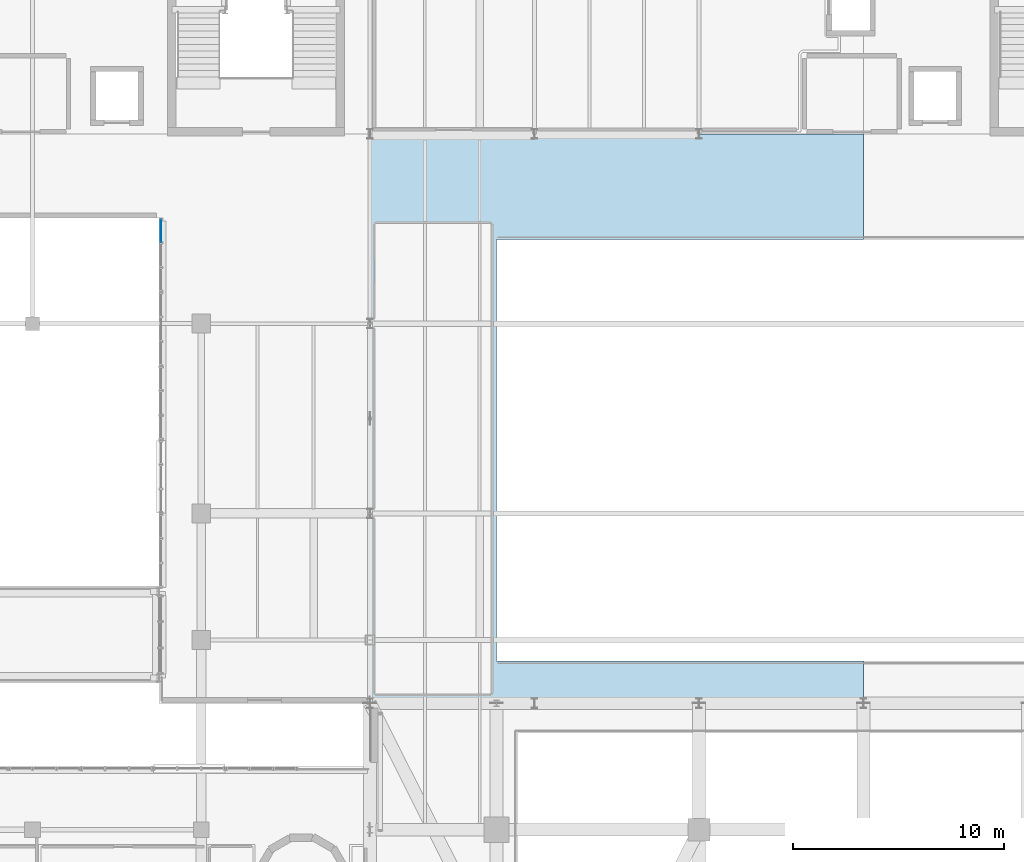
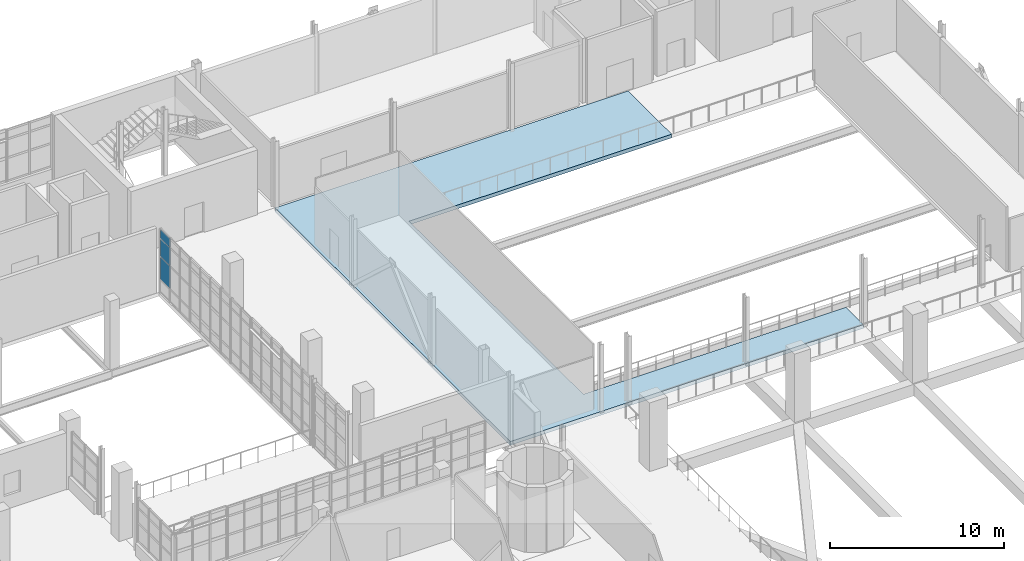
# One storey, part 65 of 100: 3 plates, 1 slab, 1 element without a shape of its own.
"""IFC4 building model written with IfcOpenShell, lengths in metres."""

from ifc_helpers import new_model, si_unit, derived_unit, direction, frame, origin, origin_2d, place, context, subcontext, project, spatial, polyline, rectangle, outline, extrude, material, layer, layer_set, type_object, element, aggregate, save


model = new_model("IFC4")

# Units and contexts
model_context = context("Model", 3, precision=1e-05, world=origin(), true_north=direction((0.0, 1.0)))
body_context = subcontext(model_context, "Body", "Model", "MODEL_VIEW")
ifc_project = project(units=[si_unit("LENGTHUNIT", "METRE"), si_unit("AREAUNIT", "SQUARE_METRE"), si_unit("VOLUMEUNIT", "CUBIC_METRE"), si_unit("PLANEANGLEUNIT", "RADIAN"), si_unit("MASSUNIT", "GRAM", prefix="KILO"), derived_unit("THERMALTRANSMITTANCEUNIT", [(si_unit("POWERUNIT", "WATT"), 1), (si_unit("LENGTHUNIT", "METRE"), -2), (si_unit("THERMODYNAMICTEMPERATUREUNIT", "KELVIN"), -1)])], contexts=[model_context])

# Site, building, storey
site_placement = place(None, origin())
site = spatial("IfcSite", under=ifc_project, at=site_placement, CompositionType="ELEMENT")
building_placement = place(site_placement, origin())
building = spatial("IfcBuilding", under=site, at=building_placement, Name="Nallur Shell Playhouse", CompositionType="ELEMENT")
storey_placement = place(building_placement, frame((0.0, 0.0, 10.199951171875)))
storey = spatial("IfcBuildingStorey", under=building, at=storey_placement, Name="L03", CompositionType="ELEMENT", Elevation=10.199951171875)

# Curtain wall, plates
ifc_material_1 = material(Name="Anodised Aluminium Double-Glazed Facade System", Category="aluminium")
ifc_layer_1 = layer(ifc_material_1, 0.1640625)
ifc_layer_set_1 = layer_set([ifc_layer_1], Name="Anodised Aluminium Double-Glazed Facade System")
curtain_wall_type = type_object("IfcCurtainWallType", Name="CW-UNIT-07", PredefinedType="NOTDEFINED", material=ifc_layer_set_1)
curtain_wall_placement = place(storey_placement, origin())
curtain_wall = element("IfcCurtainWall", 1, at=curtain_wall_placement, inside=storey, type_object=curtain_wall_type, Name="Unitised curtain wall CW-071 (L03)", PredefinedType="NOTDEFINED")
ifc_material_2 = material(Name="Solar-Control Low-E Laminated Insulating Glass", Category="glass")
ifc_layer_2 = layer(ifc_material_2, 0.0380859375)
ifc_layer_set_2 = layer_set([ifc_layer_2], Name="Solar-Control Low-E Laminated Insulating Glass")
plate_type = type_object("IfcPlateType", Name="PT-GLZ-07", PredefinedType="CURTAIN_PANEL", material=ifc_layer_set_2)
plate_1_placement = place(storey_placement, frame((54.090087890625, 69.39697265625, 0.924560546875), z_axis=(0.0, 0.0, 1.0), x_axis=(0.0, 1.0, 0.0)))
plate_1 = element("IfcPlate", 2, at=plate_1_placement, type_object=plate_type, Name="CW-07 panel 3.2", PredefinedType="CURTAIN_PANEL", context=body_context, shape_type="SweptSolid", body=[
    extrude(rectangle(XDim=1.06201171875, YDim=0.0380859375, at=origin_2d()), origin(), (0.0, 0.0, 1.0), 1.56005859375),
])
plate_2_placement = place(storey_placement, frame((54.090087890625, 69.39697265625, 2.53369140625), z_axis=(0.0, 0.0, 1.0), x_axis=(0.0, 1.0, 0.0)))
plate_2 = element("IfcPlate", 3, at=plate_2_placement, type_object=plate_type, Name="CW-07 panel 3.3", PredefinedType="CURTAIN_PANEL", context=body_context, shape_type="SweptSolid", body=[
    extrude(rectangle(XDim=1.06201171875, YDim=0.0380859375, at=origin_2d()), origin(), (0.0, 0.0, 1.0), 1.241943359375),
])
plate_3_placement = place(storey_placement, frame((54.090087890625, 69.39697265625, 3.82470703125), z_axis=(0.0, 0.0, 1.0), x_axis=(0.0, 1.0, 0.0)))
plate_3 = element("IfcPlate", 4, at=plate_3_placement, type_object=plate_type, Name="CW-07 panel 3.4", PredefinedType="CURTAIN_PANEL", context=body_context, shape_type="SweptSolid", body=[
    extrude(rectangle(XDim=1.06201171875, YDim=0.0380859375, at=origin_2d()), origin(), (0.0, 0.0, 1.0), 0.598388671875),
])
aggregate(curtain_wall, [plate_1, plate_2, plate_3])

# Slab
ifc_material_3 = material(Name="Concrete M30", Category="concrete")
ifc_layer_3 = layer(ifc_material_3, 0.260009765625)
ifc_layer_set_3 = layer_set([ifc_layer_3], Name="Concrete M30")
slab_type = type_object("IfcSlabType", Name="SL-FLOOR-260", PredefinedType="FLOOR", material=ifc_layer_set_3)
slab_placement = place(storey_placement, frame((0.0, 0.0, -0.260009765625)))
element("IfcSlab", 5, at=slab_placement, inside=storey, type_object=slab_type, Name="L03 structural floor slab panel 13", PredefinedType="FLOOR", context=body_context, shape_type="SweptSolid", body=[
    extrude(outline(polyline([(70.0, 69.0), (70.0, 49.0), (87.39990234375, 49.0), (87.39990234375, 47.0), (64.0, 47.0), (64.0, 74.0), (87.39990234375, 74.0), (87.39990234375, 69.0), (70.0, 69.0)])), origin(), (0.0, 0.0, 1.0), 0.260009765625),
])

save(model, "model.ifc")
